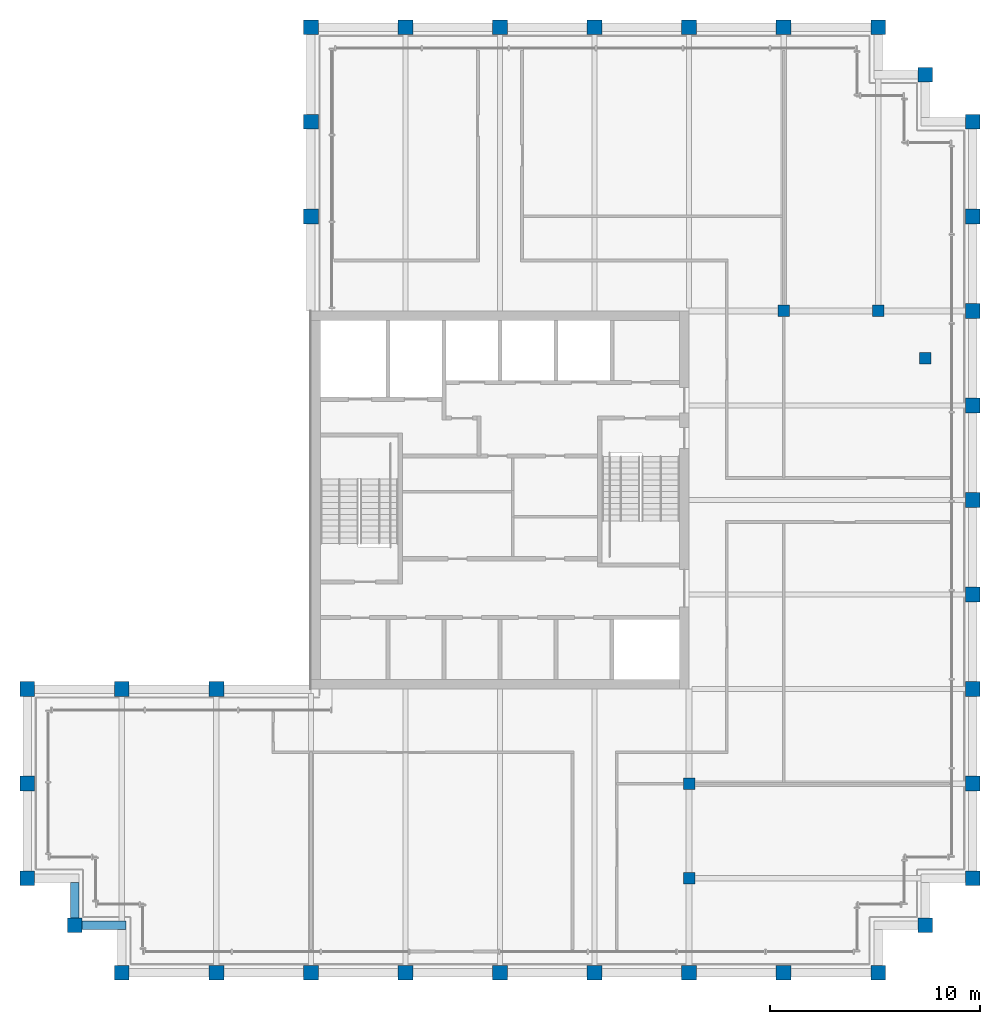
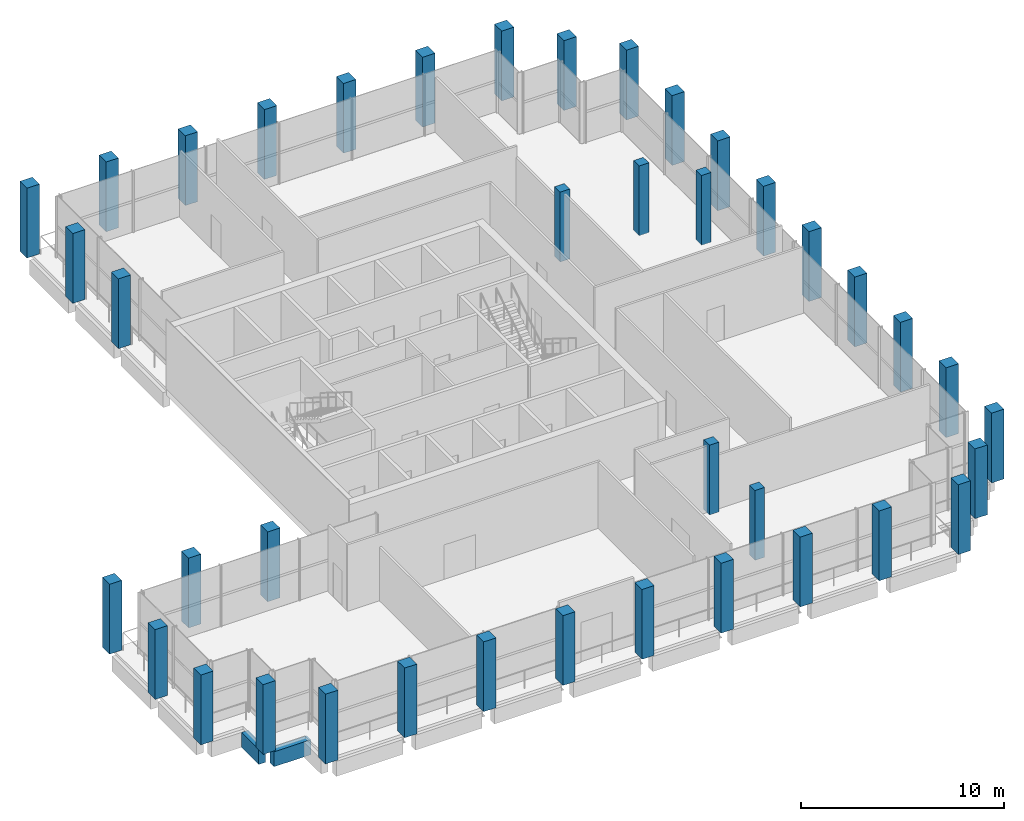
# One storey, part 1 of 17: 40 columns, 2 beams.
"""IFC4 building model written with IfcOpenShell, lengths in metres."""

from ifc_helpers import new_model, si_unit, direction, frame, origin, origin_2d, place, context, subcontext, project, spatial, rectangle, extrude, material, material_profile, profile_set, type_object, element, save


model = new_model("IFC4")

# Units and contexts
model_context = context("Model", 3, precision=1e-05, world=origin(), true_north=direction((0.0, 1.0)))
body_context = subcontext(model_context, "Body", "Model", "MODEL_VIEW")
ifc_project = project(units=[si_unit("LENGTHUNIT", "METRE"), si_unit("AREAUNIT", "SQUARE_METRE"), si_unit("VOLUMEUNIT", "CUBIC_METRE"), si_unit("PLANEANGLEUNIT", "RADIAN"), si_unit("MASSUNIT", "GRAM", prefix="KILO")], contexts=[model_context])

# Site, building, storey
site_placement = place(None, origin())
site = spatial("IfcSite", under=ifc_project, at=site_placement, CompositionType="ELEMENT")
building_placement = place(site_placement, origin())
building = spatial("IfcBuilding", under=site, at=building_placement, Name="Altepetl Exchange Towers", CompositionType="ELEMENT")
storey_placement = place(building_placement, frame((0.0, 0.0, 259.39990234375)))
storey = spatial("IfcBuildingStorey", under=building, at=storey_placement, Name="L66", CompositionType="ELEMENT", Elevation=259.39990234375)

# Columns
ifc_material_1 = material(Name="Concrete C70/85", Category="concrete")
ifc_material_profile_1 = material_profile(ifc_material_1, rectangle(XDim=0.550048828125, YDim=0.550048828125, at=origin_2d()), Name="550 x 550")
ifc_profile_set_1 = profile_set([ifc_material_profile_1], Name="Concrete C70/85")
column_type_1 = type_object("IfcColumnType", Name="Interior column 550", PredefinedType="COLUMN", material=ifc_profile_set_1)
for number, where, name in (
    (1, (58.5, 31.5, 0.0), "col:A:L66:035"),
    (2, (58.5, 36.0, 0.0), "col:A:L66:036"),
    (3, (63.0, 58.5, 0.0), "col:A:L66:037"),
    (4, (67.5, 58.5, 0.0), "col:A:L66:038"),
    (5, (69.75, 56.25, 0.0), "col:A:L66:039"),
):
    element("IfcColumn", number, at=place(storey_placement, frame(where)), inside=storey, type_object=column_type_1, Name=name, PredefinedType="COLUMN", context=body_context, shape_type="SweptSolid", body=[
        extrude(rectangle(XDim=0.550048828125, YDim=0.550048828125, at=origin_2d()), origin(), (0.0, 0.0, 1.0), 4.2001953125),
    ])
ifc_material_2 = material(Name="Concrete C70/85 precast with cantera amarilla facing", Category="concrete")
ifc_material_profile_2 = material_profile(ifc_material_2, rectangle(XDim=0.699951171875, YDim=0.699951171875, at=origin_2d()), Name="700 x 700")
ifc_profile_set_2 = profile_set([ifc_material_profile_2], Name="Concrete C70/85 precast with cantera amarilla facing")
column_type_2 = type_object("IfcColumnType", Name="Perimeter column 700 cantera amarilla", PredefinedType="COLUMN", material=ifc_profile_set_2)
for number, where, name in (
    (6, (58.5, 27.0, 0.0), "col:A:L66:006"),
    (7, (63.0, 27.0, 0.0), "col:A:L66:007"),
    (8, (67.5, 27.0, 0.0), "col:A:L66:008"),
    (9, (69.75, 29.25, 0.0), "col:A:L66:009"),
    (10, (72.0, 31.5, 0.0), "col:A:L66:010"),
    (11, (72.0, 36.0, 0.0), "col:A:L66:011"),
    (12, (72.0, 40.5, 0.0), "col:A:L66:012"),
    (13, (72.0, 45.0, 0.0), "col:A:L66:013"),
    (14, (72.0, 49.5, 0.0), "col:A:L66:014"),
    (15, (72.0, 54.0, 0.0), "col:A:L66:015"),
):
    element("IfcColumn", number, at=place(storey_placement, frame(where)), inside=storey, type_object=column_type_2, Name=name, PredefinedType="COLUMN", context=body_context, shape_type="SweptSolid", body=[
        extrude(rectangle(XDim=0.699951171875, YDim=0.699951171875, at=origin_2d()), origin(), (0.0, 0.0, 1.0), 4.2001953125),
    ])
ifc_material_3 = material(Name="Concrete C70/85 precast with cantera blanca facing", Category="concrete")
ifc_material_profile_3 = material_profile(ifc_material_3, rectangle(XDim=0.699951171875, YDim=0.699951171875, at=origin_2d()), Name="700 x 700")
ifc_profile_set_3 = profile_set([ifc_material_profile_3], Name="Concrete C70/85 precast with cantera blanca facing")
column_type_3 = type_object("IfcColumnType", Name="Perimeter column 700 cantera blanca", PredefinedType="COLUMN", material=ifc_profile_set_3)
for number, where, name in (
    (16, (31.5, 27.0, 0.0), "col:A:L66:000"),
    (17, (36.0, 27.0, 0.0), "col:A:L66:001"),
    (18, (40.5, 27.0, 0.0), "col:A:L66:002"),
    (19, (45.0, 27.0, 0.0), "col:A:L66:003"),
    (20, (49.5, 27.0, 0.0), "col:A:L66:004"),
    (21, (54.0, 27.0, 0.0), "col:A:L66:005"),
    (22, (27.0, 36.0, 0.0), "col:A:L66:032"),
    (23, (27.0, 31.5, 0.0), "col:A:L66:033"),
    (24, (29.25, 29.25, 0.0), "col:A:L66:034"),
):
    element("IfcColumn", number, at=place(storey_placement, frame(where)), inside=storey, type_object=column_type_3, Name=name, PredefinedType="COLUMN", context=body_context, shape_type="SweptSolid", body=[
        extrude(rectangle(XDim=0.699951171875, YDim=0.699951171875, at=origin_2d()), origin(), (0.0, 0.0, 1.0), 4.2001953125),
    ])
ifc_material_4 = material(Name="Concrete C70/85 precast with cantera rosa facing", Category="concrete")
ifc_material_profile_4 = material_profile(ifc_material_4, rectangle(XDim=0.699951171875, YDim=0.699951171875, at=origin_2d()), Name="700 x 700")
ifc_profile_set_4 = profile_set([ifc_material_profile_4], Name="Concrete C70/85 precast with cantera rosa facing")
column_type_4 = type_object("IfcColumnType", Name="Perimeter column 700 cantera rosa", PredefinedType="COLUMN", material=ifc_profile_set_4)
for number, where, name in (
    (25, (72.0, 58.5, 0.0), "col:A:L66:016"),
    (26, (72.0, 63.0, 0.0), "col:A:L66:017"),
    (27, (72.0, 67.5, 0.0), "col:A:L66:018"),
    (28, (69.75, 69.75, 0.0), "col:A:L66:019"),
    (29, (67.5, 72.0, 0.0), "col:A:L66:020"),
    (30, (63.0, 72.0, 0.0), "col:A:L66:021"),
    (31, (58.5, 72.0, 0.0), "col:A:L66:022"),
    (32, (54.0, 72.0, 0.0), "col:A:L66:023"),
    (33, (49.5, 72.0, 0.0), "col:A:L66:024"),
    (34, (45.0, 72.0, 0.0), "col:A:L66:025"),
):
    element("IfcColumn", number, at=place(storey_placement, frame(where)), inside=storey, type_object=column_type_4, Name=name, PredefinedType="COLUMN", context=body_context, shape_type="SweptSolid", body=[
        extrude(rectangle(XDim=0.699951171875, YDim=0.699951171875, at=origin_2d()), origin(), (0.0, 0.0, 1.0), 4.2001953125),
    ])
ifc_material_5 = material(Name="Concrete C70/85 precast with tezontle facing", Category="concrete")
ifc_material_profile_5 = material_profile(ifc_material_5, rectangle(XDim=0.699951171875, YDim=0.699951171875, at=origin_2d()), Name="700 x 700")
ifc_profile_set_5 = profile_set([ifc_material_profile_5], Name="Concrete C70/85 precast with tezontle facing")
column_type_5 = type_object("IfcColumnType", Name="Perimeter column 700 tezontle", PredefinedType="COLUMN", material=ifc_profile_set_5)
for number, where, name in (
    (35, (40.5, 72.0, 0.0), "col:A:L66:026"),
    (36, (40.5, 67.5, 0.0), "col:A:L66:027"),
    (37, (40.5, 63.0, 0.0), "col:A:L66:028"),
    (38, (36.0, 40.5, 0.0), "col:A:L66:029"),
    (39, (31.5, 40.5, 0.0), "col:A:L66:030"),
    (40, (27.0, 40.5, 0.0), "col:A:L66:031"),
):
    element("IfcColumn", number, at=place(storey_placement, frame(where)), inside=storey, type_object=column_type_5, Name=name, PredefinedType="COLUMN", context=body_context, shape_type="SweptSolid", body=[
        extrude(rectangle(XDim=0.699951171875, YDim=0.699951171875, at=origin_2d()), origin(), (0.0, 0.0, 1.0), 4.2001953125),
    ])

# Beams
ifc_material_6 = material(Name="Concrete C50/60 precast with cantera blanca facing", Category="concrete")
ifc_material_profile_6 = material_profile(ifc_material_6, rectangle(XDim=0.39990234375, YDim=0.89990234375, at=origin_2d()), Name="400 x 900")
ifc_profile_set_6 = profile_set([ifc_material_profile_6], Name="Concrete C50/60 precast with cantera blanca facing")
beam_type = type_object("IfcBeamType", Name="Spandrel beam 400x900 cantera blanca", PredefinedType="SPANDREL", material=ifc_profile_set_6)
beam_1_placement = place(storey_placement, frame((29.25, 31.300048828125, -0.625), z_axis=(0.0, -1.0, 0.0), x_axis=(1.0, 0.0, 0.0)))
element("IfcBeam", 41, at=beam_1_placement, inside=storey, type_object=beam_type, Name="sp:A:L66:039", PredefinedType="SPANDREL", context=body_context, shape_type="SweptSolid", body=[
    extrude(rectangle(XDim=0.39990234375, YDim=0.89990234375, at=origin_2d()), origin(), (0.0, 0.0, 1.0), 1.699951171875),
])
beam_2_placement = place(storey_placement, frame((29.60009765625, 29.25, -0.625), z_axis=(1.0, 0.0, 0.0), x_axis=(0.0, 1.0, 0.0)))
element("IfcBeam", 42, at=beam_2_placement, inside=storey, type_object=beam_type, Name="sp:A:L66:040", PredefinedType="SPANDREL", context=body_context, shape_type="SweptSolid", body=[
    extrude(rectangle(XDim=0.39990234375, YDim=0.89990234375, at=origin_2d()), origin(), (0.0, 0.0, 1.0), 2.099853515625),
])

save(model, "model.ifc")
